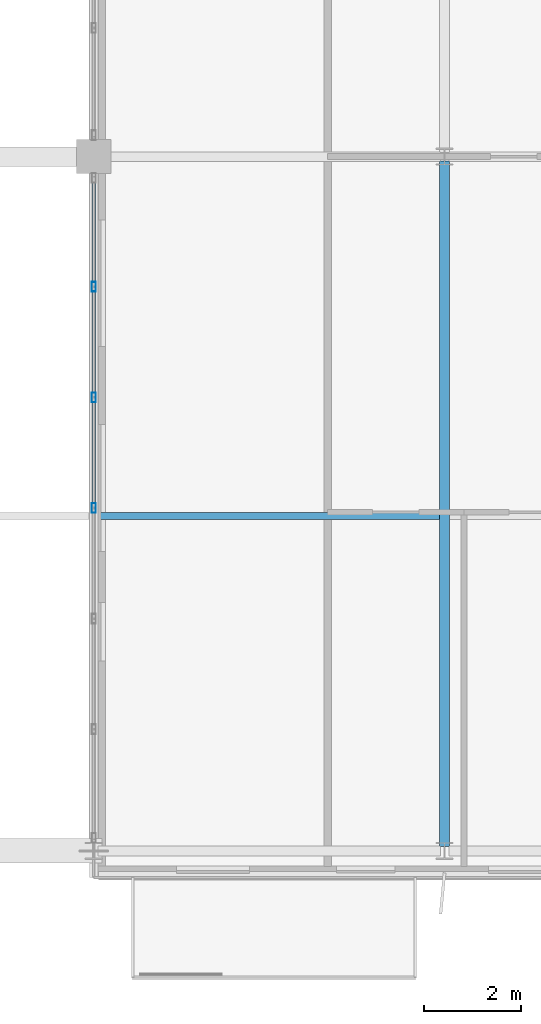
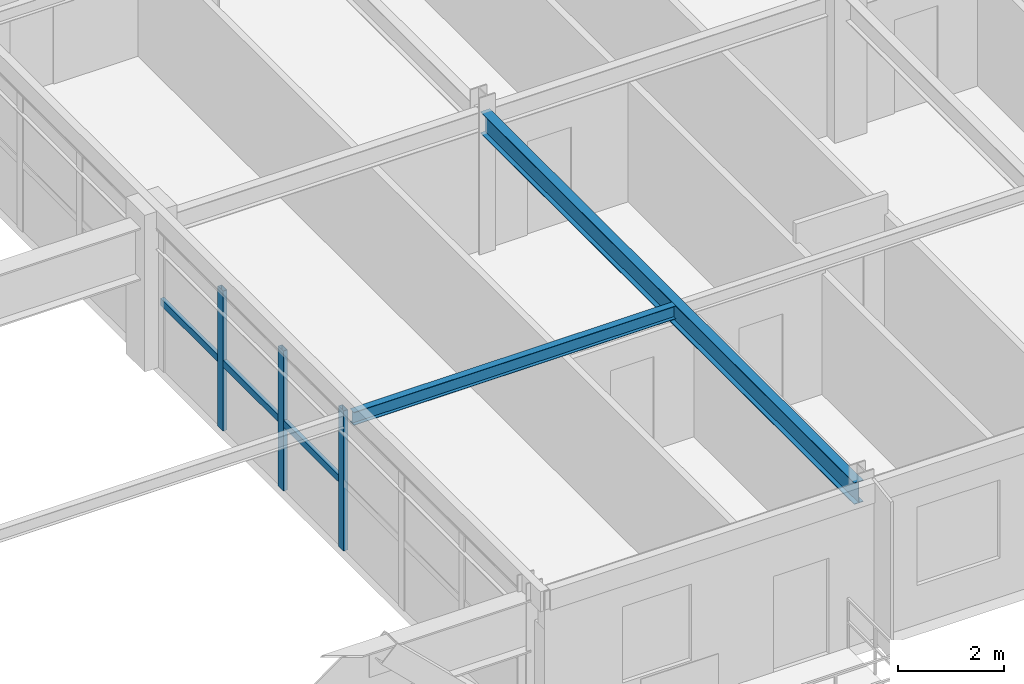
# One storey, part 14 of 37: 6 members, 2 beams, 1 element without a shape of its own.
"""IFC4 building model written with IfcOpenShell, lengths in metres."""

from ifc_helpers import new_model, si_unit, direction, frame, origin, origin_2d, place, context, subcontext, project, spatial, hollow_rectangle, i_section, extrude, source, transform, mapped, material, material_profile, profile_set, type_object, element, aggregate, save


model = new_model("IFC4")

# Units and contexts
model_context = context("Model", 3, precision=1e-05, world=origin(), true_north=direction((0.0, 1.0)))
body_context = subcontext(model_context, "Body", "Model", "MODEL_VIEW")
ifc_project = project(units=[si_unit("LENGTHUNIT", "METRE"), si_unit("AREAUNIT", "SQUARE_METRE"), si_unit("VOLUMEUNIT", "CUBIC_METRE"), si_unit("PLANEANGLEUNIT", "RADIAN"), si_unit("MASSUNIT", "GRAM", prefix="KILO")], contexts=[model_context])

# Site, building, storey
site_placement = place(None, origin())
site = spatial("IfcSite", under=ifc_project, at=site_placement, CompositionType="ELEMENT")
building_placement = place(site_placement, origin())
building = spatial("IfcBuilding", under=site, at=building_placement, Name="Trelvane Seafront Commons", CompositionType="ELEMENT")
storey_placement = place(building_placement, frame((0.0, 0.0, 201.300048828125)))
storey = spatial("IfcBuildingStorey", under=building, at=storey_placement, Name="L52", CompositionType="ELEMENT", Elevation=201.300048828125)

# Beams
ifc_material_1 = material(Name="Steel SM355 (S355)", Category="steel")
ifc_material_profile_1 = material_profile(ifc_material_1, i_section(OverallWidth=0.199951171875, OverallDepth=0.5, WebThickness=0.010009765625, FlangeThickness=0.01611328125, at=origin_2d()), Name="H-500x200x10x16")
ifc_profile_set_1 = profile_set([ifc_material_profile_1], Name="Steel SM355 (S355)")
beam_type_1 = type_object("IfcBeamType", Name="STR-BM-H500", PredefinedType="BEAM", material=ifc_profile_set_1)
shared_shape_1 = source(origin(), body_context, "Body", "SweptSolid", [
    extrude(i_section(OverallWidth=0.199951171875, OverallDepth=0.5, WebThickness=0.010009765625, FlangeThickness=0.01611328125, at=origin_2d()), origin(), (0.0, 0.0, 1.0), 14.074951171875),
])
beam_1_placement = place(storey_placement, frame((51.0, 4.03759765625, 2.969970703125), z_axis=(0.0, 1.0, 0.0), x_axis=(-1.0, 0.0, 0.0)))
element("IfcBeam", 1, at=beam_1_placement, inside=storey, type_object=beam_type_1, Name="L52 Primary Girder G-44", PredefinedType="BEAM", context=body_context, shape_type="MappedRepresentation", body=[
    mapped(shared_shape_1, transform((0.0, 0.0, 0.0), x_axis=(1.0, 0.0, 0.0), y_axis=(0.0, 1.0, 0.0), z_axis=(0.0, 0.0, 1.0), scale=1.0)),
])
ifc_material_profile_2 = material_profile(ifc_material_1, i_section(OverallWidth=0.14990234375, OverallDepth=0.300048828125, WebThickness=0.006591796875, FlangeThickness=0.009033203125, at=origin_2d()), Name="H-300x150x6.5x9")
ifc_profile_set_2 = profile_set([ifc_material_profile_2], Name="Steel SM355 (S355)")
beam_type_2 = type_object("IfcBeamType", Name="STR-JST-H300", PredefinedType="JOIST", material=ifc_profile_set_2)
shared_shape_2 = source(origin(), body_context, "Body", "SweptSolid", [
    extrude(i_section(OverallWidth=0.14990234375, OverallDepth=0.300048828125, WebThickness=0.006591796875, FlangeThickness=0.009033203125, at=origin_2d()), origin(), (0.0, 0.0, 1.0), 7.0),
])
beam_2_placement = place(storey_placement, frame((43.89990234375, 10.824951171875, 3.070068359375), z_axis=(1.0, 0.0, 0.0), x_axis=(0.0, 1.0, 0.0)))
element("IfcBeam", 2, at=beam_2_placement, inside=storey, type_object=beam_type_2, Name="L52 Secondary Floor Joist B-57", PredefinedType="JOIST", context=body_context, shape_type="MappedRepresentation", body=[
    mapped(shared_shape_2, transform((0.0, 0.0, 0.0), x_axis=(1.0, 0.0, 0.0), y_axis=(0.0, 1.0, 0.0), z_axis=(0.0, 0.0, 1.0), scale=1.0)),
])

# Curtain wall, members
ifc_material_2 = material(Name="Anodised pale-silver aluminium", Category="aluminium")
curtain_wall_type = type_object("IfcCurtainWallType", Name="ARCH-CW3-PORTAL", PredefinedType="NOTDEFINED", material=ifc_material_2)
curtain_wall_placement = place(storey_placement, origin())
curtain_wall = element("IfcCurtainWall", 3, at=curtain_wall_placement, inside=storey, type_object=curtain_wall_type, Name="CW-L52-VP-0095", PredefinedType="NOTDEFINED")
ifc_material_profile_3 = material_profile(ifc_material_2, hollow_rectangle(XDim=0.090087890625, YDim=0.199951171875, WallThickness=0.0048828125, at=origin_2d()), Name="MULL-90x200x5")
ifc_profile_set_3 = profile_set([ifc_material_profile_3], Name="Anodised pale-silver aluminium")
member_type_1 = type_object("IfcMemberType", Name="ARCH-CW-MULL-200", PredefinedType="MULLION", material=ifc_profile_set_3)
shared_shape_3 = source(origin(), body_context, "Body", "SweptSolid", [
    extrude(hollow_rectangle(XDim=0.090087890625, YDim=0.199951171875, WallThickness=0.0048828125, at=origin_2d()), origin(), (0.0, 0.0, 1.0), 3.219970703125),
])
member_1_placement = place(storey_placement, frame((43.800048828125, 15.529296875, 0.0), z_axis=(0.0, 0.0, 1.0), x_axis=(1.0, 0.0, 0.0)))
member_1 = element("IfcMember", 4, at=member_1_placement, type_object=member_type_1, Name="CW-L52-VP-0095-M01", PredefinedType="MULLION", context=body_context, shape_type="MappedRepresentation", body=[
    mapped(shared_shape_3, transform((0.0, 0.0, 0.0), x_axis=(1.0, 0.0, 0.0), y_axis=(0.0, 1.0, 0.0), z_axis=(0.0, 0.0, 1.0), scale=1.0)),
])
member_2_placement = place(storey_placement, frame((43.800048828125, 13.25830078125, 0.0), z_axis=(0.0, 0.0, 1.0), x_axis=(1.0, 0.0, 0.0)))
member_2 = element("IfcMember", 5, at=member_2_placement, type_object=member_type_1, Name="CW-L52-VP-0095-M02", PredefinedType="MULLION", context=body_context, shape_type="MappedRepresentation", body=[
    mapped(shared_shape_3, transform((0.0, 0.0, 0.0), x_axis=(1.0, 0.0, 0.0), y_axis=(0.0, 1.0, 0.0), z_axis=(0.0, 0.0, 1.0), scale=1.0)),
])
member_3_placement = place(storey_placement, frame((43.800048828125, 10.987548828125, 0.0), z_axis=(0.0, 0.0, 1.0), x_axis=(1.0, 0.0, 0.0)))
member_3 = element("IfcMember", 6, at=member_3_placement, type_object=member_type_1, Name="CW-L52-VP-0095-M03", PredefinedType="MULLION", context=body_context, shape_type="MappedRepresentation", body=[
    mapped(shared_shape_3, transform((0.0, 0.0, 0.0), x_axis=(1.0, 0.0, 0.0), y_axis=(0.0, 1.0, 0.0), z_axis=(0.0, 0.0, 1.0), scale=1.0)),
])
ifc_material_profile_4 = material_profile(ifc_material_2, hollow_rectangle(XDim=0.080078125, YDim=0.159912109375, WallThickness=0.00439453125, at=origin_2d()), Name="TRAN-80x160x4.5")
ifc_profile_set_4 = profile_set([ifc_material_profile_4], Name="Anodised pale-silver aluminium")
member_type_2 = type_object("IfcMemberType", Name="ARCH-CW-TRAN-160", PredefinedType="USERDEFINED", material=ifc_profile_set_4)
shared_shape_4 = source(origin(), body_context, "Body", "SweptSolid", [
    extrude(hollow_rectangle(XDim=0.080078125, YDim=0.159912109375, WallThickness=0.00439453125, at=origin_2d()), origin(), (0.0, 0.0, 1.0), 2.246826171875),
])
member_4_placement = place(storey_placement, frame((43.800048828125, 17.7880859375, 1.5458984375), z_axis=(0.0, -1.0, 0.0), x_axis=(1.0, 0.0, 0.0)))
member_4 = element("IfcMember", 7, at=member_4_placement, type_object=member_type_2, Name="CW-L52-VP-0095-T00", ObjectType="TRANSOM", PredefinedType="USERDEFINED", context=body_context, shape_type="MappedRepresentation", body=[
    mapped(shared_shape_4, transform((0.0, 0.0, 0.0), x_axis=(1.0, 0.0, 0.0), y_axis=(0.0, 1.0, 0.0), z_axis=(0.0, 0.0, 1.0), scale=1.0)),
])
member_5_placement = place(storey_placement, frame((43.800048828125, 15.51708984375, 1.5458984375), z_axis=(0.0, -1.0, 0.0), x_axis=(1.0, 0.0, 0.0)))
member_5 = element("IfcMember", 8, at=member_5_placement, type_object=member_type_2, Name="CW-L52-VP-0095-T01", ObjectType="TRANSOM", PredefinedType="USERDEFINED", context=body_context, shape_type="MappedRepresentation", body=[
    mapped(shared_shape_4, transform((0.0, 0.0, 0.0), x_axis=(1.0, 0.0, 0.0), y_axis=(0.0, 1.0, 0.0), z_axis=(0.0, 0.0, 1.0), scale=1.0)),
])
member_6_placement = place(storey_placement, frame((43.800048828125, 13.246337890625, 1.5458984375), z_axis=(0.0, -1.0, 0.0), x_axis=(1.0, 0.0, 0.0)))
member_6 = element("IfcMember", 9, at=member_6_placement, type_object=member_type_2, Name="CW-L52-VP-0095-T02", ObjectType="TRANSOM", PredefinedType="USERDEFINED", context=body_context, shape_type="MappedRepresentation", body=[
    mapped(shared_shape_4, transform((0.0, 0.0, 0.0), x_axis=(1.0, 0.0, 0.0), y_axis=(0.0, 1.0, 0.0), z_axis=(0.0, 0.0, 1.0), scale=1.0)),
])
aggregate(curtain_wall, [member_1, member_2, member_3, member_4, member_5, member_6])

save(model, "model.ifc")
